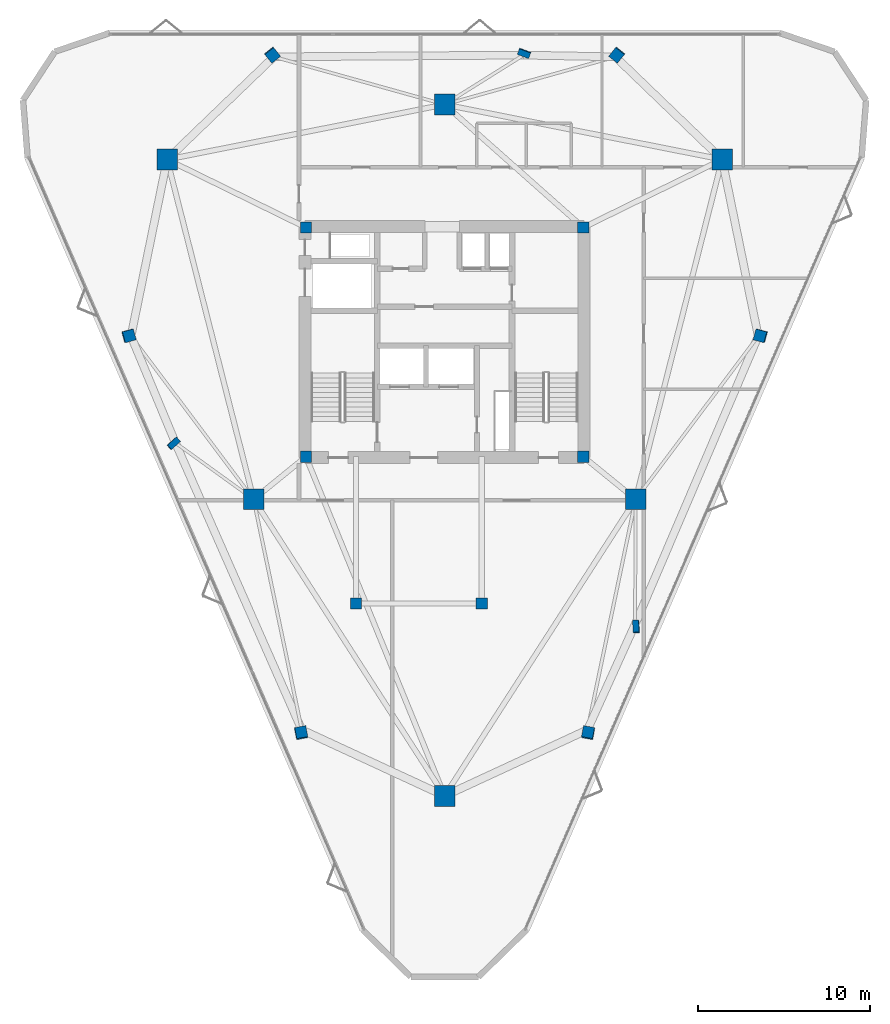
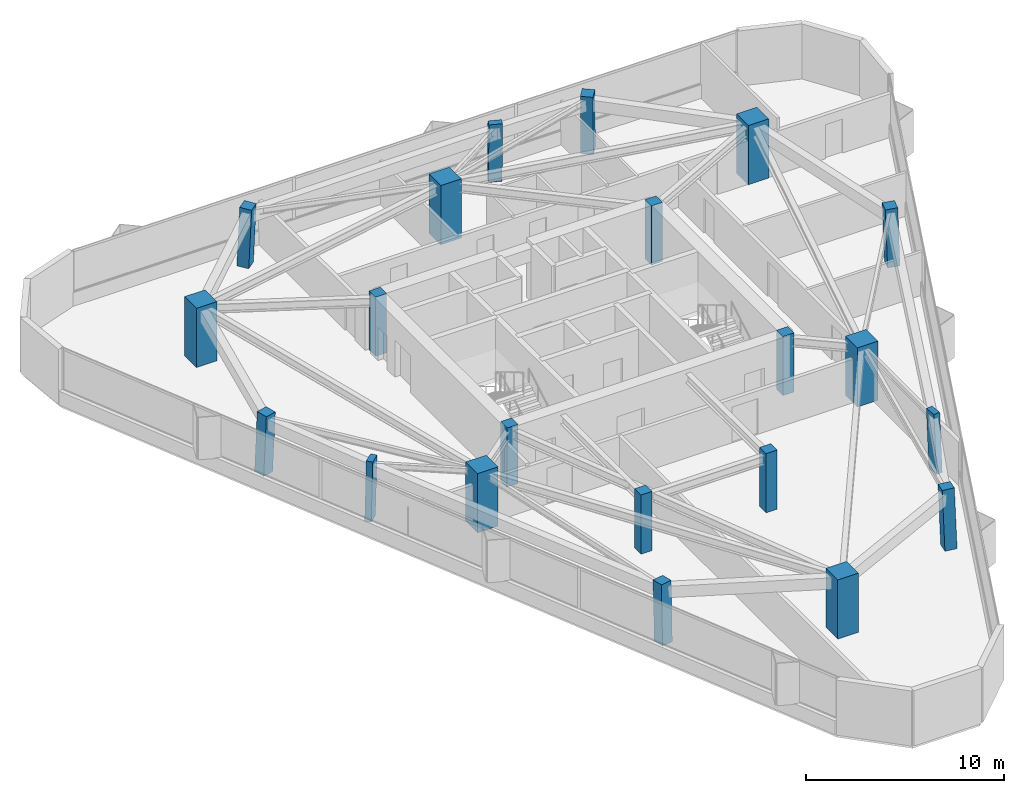
# One storey, part 1 of 10: 21 columns.
"""IFC4 building model written with IfcOpenShell, lengths in metres."""

from ifc_helpers import new_model, si_unit, direction, frame, origin, origin_2d, place, context, subcontext, project, spatial, rectangle, extrude, material, material_profile, profile_set, type_object, element, save


model = new_model("IFC4")

# Units and contexts
model_context = context("Model", 3, precision=1e-05, world=origin(), true_north=direction((0.0, 1.0)))
body_context = subcontext(model_context, "Body", "Model", "MODEL_VIEW")
ifc_project = project(units=[si_unit("LENGTHUNIT", "METRE"), si_unit("AREAUNIT", "SQUARE_METRE"), si_unit("VOLUMEUNIT", "CUBIC_METRE"), si_unit("PLANEANGLEUNIT", "RADIAN"), si_unit("MASSUNIT", "GRAM", prefix="KILO")], contexts=[model_context])

# Site, building, storey
site_placement = place(None, origin())
site = spatial("IfcSite", under=ifc_project, at=site_placement, CompositionType="ELEMENT")
building_placement = place(site_placement, origin())
building = spatial("IfcBuilding", under=site, at=building_placement, Name="Talyreon Biosciences Tower", CompositionType="ELEMENT")
storey_placement = place(building_placement, frame((0.0, 0.0, 231.60009765625)))
storey = spatial("IfcBuildingStorey", under=building, at=storey_placement, Name="L61", CompositionType="ELEMENT", Elevation=231.60009765625)

# Columns
ifc_material_1 = material(Name="Precast concrete C45/55", Category="concrete")
ifc_material_profile_1 = material_profile(ifc_material_1, rectangle(XDim=0.699951171875, YDim=0.35009765625, at=origin_2d()), Name="RC 700x350")
ifc_profile_set_1 = profile_set([ifc_material_profile_1], Name="Precast concrete C45/55")
column_type_1 = type_object("IfcColumnType", Name="FacadePilaster_700x350", PredefinedType="PILASTER", material=ifc_profile_set_1)
column_1_placement = place(storey_placement, frame((77.12060546875, 51.474609375, 0.0029296875), z_axis=(-0.019545044433, 0.038353802945, 0.999073058909), x_axis=(0.061504322471, -0.997325304964, 0.039489927771)))
element("IfcColumn", 1, at=column_1_placement, inside=storey, type_object=column_type_1, Name="L61 Facade Pilaster PL-SE", PredefinedType="PILASTER", context=body_context, shape_type="SweptSolid", body=[
    extrude(rectangle(XDim=0.699951171875, YDim=0.35009765625, at=origin_2d()), origin(), (0.0, 0.0, 1.0), 3.6474609375),
])
column_2_placement = place(storey_placement, frame((70.619140625, 84.779296875, 0.0029296875), z_axis=(-0.012453496874, -0.033544096418, 0.99935964698), x_axis=(-0.937477612418, 0.348045580658, 0.0)))
element("IfcColumn", 2, at=column_2_placement, inside=storey, type_object=column_type_1, Name="L61 Facade Pilaster PL-N", PredefinedType="PILASTER", context=body_context, shape_type="SweptSolid", body=[
    extrude(rectangle(XDim=0.699951171875, YDim=0.35009765625, at=origin_2d()), origin(), (0.0, 0.0, 1.0), 3.646484375),
])
column_3_placement = place(storey_placement, frame((50.26025390625, 62.12109375, 0.0029296875), z_axis=(0.032006476949, 0.010512587617, 0.999432374368), x_axis=(0.746864455041, 0.664257751143, -0.030905110307)))
element("IfcColumn", 3, at=column_3_placement, inside=storey, type_object=column_type_1, Name="L61 Facade Pilaster PL-SW", PredefinedType="PILASTER", context=body_context, shape_type="SweptSolid", body=[
    extrude(rectangle(XDim=0.699951171875, YDim=0.35009765625, at=origin_2d()), origin(), (0.0, 0.0, 1.0), 3.64599609375),
])
ifc_material_2 = material(Name="Concrete C50/60", Category="concrete")
ifc_material_profile_2 = material_profile(ifc_material_2, rectangle(XDim=1.199951171875, YDim=1.199951171875, at=origin_2d()), Name="RC 1200x1200")
ifc_profile_set_2 = profile_set([ifc_material_profile_2], Name="Concrete C50/60")
column_type_2 = type_object("IfcColumnType", Name="MegaColumn_1200", PredefinedType="COLUMN", material=ifc_profile_set_2)
for number, where, z_axis, x_axis, name in (
    (4, (66.0, 41.6669921875, 0.0), (0.0, 0.0, 1.0), (1.0, 0.0, 0.0), "L61 Composite Mega-Column MC1"),
    (5, (82.102294921875, 78.5986328125, 0.0), (0.0, 0.0, 1.0), (1.0, 0.0, 0.0), "L61 Composite Mega-Column MC2"),
    (6, (49.897705078125, 78.5986328125, 0.0), (0.0, 0.0, 1.0), (1.0, 0.0, 0.0), "L61 Composite Mega-Column MC3"),
    (7, (77.086181640625, 58.88037109375, 0.0), (0.0, 0.0, 1.0), (1.0, 0.0, 0.0), "L61 Composite Mega-Column MC4"),
    (8, (66.0, 81.788818359375, 0.0), (0.0, 0.0, 1.0), (1.0, 0.0, 0.0), "L61 Composite Mega-Column MC5"),
    (9, (54.913818359375, 58.88037109375, 0.0), (0.0, 0.0, 1.0), (1.0, 0.0, 0.0), "L61 Composite Mega-Column MC6"),
):
    element("IfcColumn", number, at=place(storey_placement, frame(where, z_axis=z_axis, x_axis=x_axis)), inside=storey, type_object=column_type_2, Name=name, PredefinedType="COLUMN", context=body_context, shape_type="SweptSolid", body=[
        extrude(rectangle(XDim=1.199951171875, YDim=1.199951171875, at=origin_2d()), origin(), (0.0, 0.0, 1.0), 3.64990234375),
    ])
ifc_material_profile_3 = material_profile(ifc_material_2, rectangle(XDim=0.64990234375, YDim=0.64990234375, at=origin_2d()), Name="RC 650x650")
ifc_profile_set_3 = profile_set([ifc_material_profile_3], Name="Concrete C50/60")
column_type_3 = type_object("IfcColumnType", Name="PerimeterColumn_650", PredefinedType="COLUMN", material=ifc_profile_set_3)
for number, where, z_axis, x_axis, name in (
    (10, (57.949951171875, 61.35009765625, 0.0), (0.0, 0.0, 1.0), (1.0, 0.0, 0.0), "L61 Core Column CC1"),
    (11, (74.050048828125, 61.35009765625, 0.0), (0.0, 0.0, 1.0), (1.0, 0.0, 0.0), "L61 Core Column CC2"),
    (12, (74.050048828125, 74.64990234375, 0.0), (0.0, 0.0, 1.0), (1.0, 0.0, 0.0), "L61 Core Column CC3"),
    (13, (57.949951171875, 74.64990234375, 0.0), (0.0, 0.0, 1.0), (1.0, 0.0, 0.0), "L61 Core Column CC4"),
    (14, (60.85009765625, 52.840087890625, 0.0), (0.0, 0.0, 1.0), (1.0, 0.0, 0.0), "L61 Core Column CSW"),
    (15, (68.14990234375, 52.840087890625, 0.0), (0.0, 0.0, 1.0), (1.0, 0.0, 0.0), "L61 Core Column CSE"),
):
    element("IfcColumn", number, at=place(storey_placement, frame(where, z_axis=z_axis, x_axis=x_axis)), inside=storey, type_object=column_type_3, Name=name, PredefinedType="COLUMN", context=body_context, shape_type="SweptSolid", body=[
        extrude(rectangle(XDim=0.64990234375, YDim=0.64990234375, at=origin_2d()), origin(), (0.0, 0.0, 1.0), 3.64990234375),
    ])
column_4_placement = place(storey_placement, frame((74.33447265625, 45.30419921875, 0.0029296875), z_axis=(-0.012375096162, 0.054517315524, 0.998436136818), x_axis=(-0.185399825688, -0.981323979262, 0.051285011078)))
element("IfcColumn", 16, at=column_4_placement, inside=storey, type_object=column_type_3, Name="L61 Tapering Perimeter Column PC-SE1", PredefinedType="COLUMN", context=body_context, shape_type="SweptSolid", body=[
    extrude(rectangle(XDim=0.64990234375, YDim=0.64990234375, at=origin_2d()), origin(), (0.0, 0.0, 1.0), 3.649658203125),
])
column_5_placement = place(storey_placement, frame((84.342529296875, 68.37109375, 0.0029296875), z_axis=(-0.039229508262, -0.005623342481, 0.999214403269), x_axis=(0.9638554335, -0.263933606139, 0.036355946745)))
element("IfcColumn", 17, at=column_5_placement, inside=storey, type_object=column_type_3, Name="L61 Tapering Perimeter Column PC-SE2", PredefinedType="COLUMN", context=body_context, shape_type="SweptSolid", body=[
    extrude(rectangle(XDim=0.64990234375, YDim=0.64990234375, at=origin_2d()), origin(), (0.0, 0.0, 1.0), 3.64697265625),
])
for number, where, z_axis, x_axis, name in (
    (18, (76.008056640625, 84.67919921875, 0.0029296875), (-0.026907963191, -0.033534551141, 0.999075270136), (-0.779956681152, 0.625833504637, 0.0), "L61 Tapering Perimeter Column PC-N1"),
    (19, (55.991943359375, 84.67919921875, 0.0029296875), (0.026907963191, -0.033534551141, 0.999075270136), (-0.779956681152, -0.625833504637, 0.0), "L61 Tapering Perimeter Column PC-N2"),
):
    element("IfcColumn", number, at=place(storey_placement, frame(where, z_axis=z_axis, x_axis=x_axis)), inside=storey, type_object=column_type_3, Name=name, PredefinedType="COLUMN", context=body_context, shape_type="SweptSolid", body=[
        extrude(rectangle(XDim=0.64990234375, YDim=0.64990234375, at=origin_2d()), origin(), (0.0, 0.0, 1.0), 3.6474609375),
    ])
column_6_placement = place(storey_placement, frame((47.657470703125, 68.37109375, 0.0029296875), z_axis=(0.039229508262, -0.005623342481, 0.999214403269), x_axis=(0.9638554335, 0.263933606139, -0.036355946745)))
element("IfcColumn", 20, at=column_6_placement, inside=storey, type_object=column_type_3, Name="L61 Tapering Perimeter Column PC-SW1", PredefinedType="COLUMN", context=body_context, shape_type="SweptSolid", body=[
    extrude(rectangle(XDim=0.64990234375, YDim=0.64990234375, at=origin_2d()), origin(), (0.0, 0.0, 1.0), 3.64697265625),
])
column_7_placement = place(storey_placement, frame((57.66552734375, 45.30419921875, 0.0029296875), z_axis=(0.012375096162, 0.054517315524, 0.998436136818), x_axis=(-0.185399825688, 0.981323979262, -0.051285011078)))
element("IfcColumn", 21, at=column_7_placement, inside=storey, type_object=column_type_3, Name="L61 Tapering Perimeter Column PC-SW2", PredefinedType="COLUMN", context=body_context, shape_type="SweptSolid", body=[
    extrude(rectangle(XDim=0.64990234375, YDim=0.64990234375, at=origin_2d()), origin(), (0.0, 0.0, 1.0), 3.649658203125),
])

save(model, "model.ifc")
